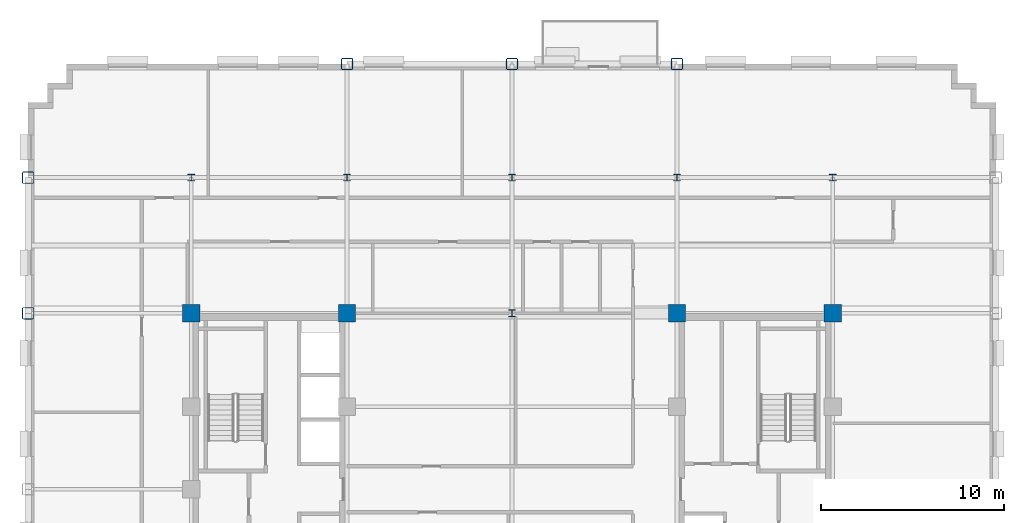
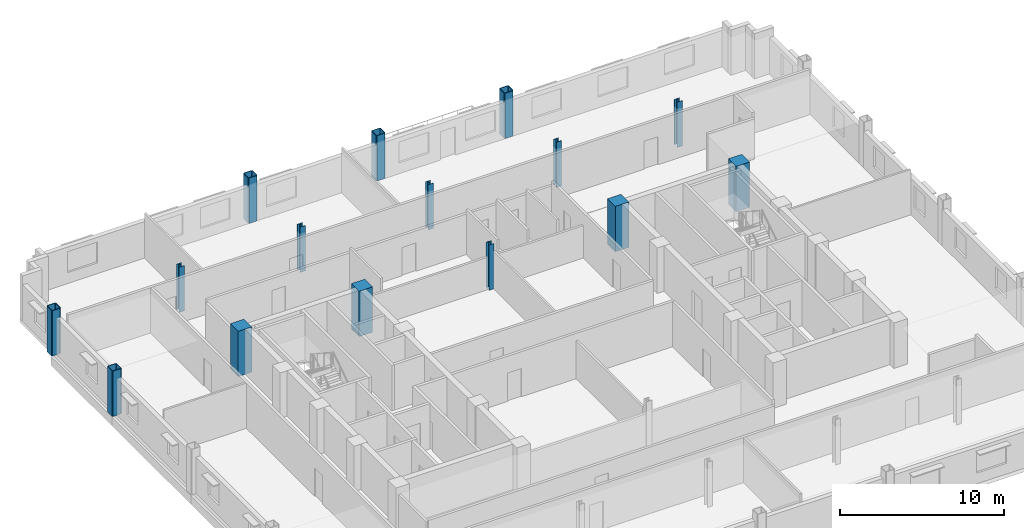
# One storey, part 3 of 14: 15 columns.
"""IFC4 building model written with IfcOpenShell, lengths in metres."""

from ifc_helpers import new_model, si_unit, direction, frame, origin, origin_2d, place, context, subcontext, project, spatial, rectangle, hollow_rectangle, i_section, extrude, material, material_profile, profile_set, type_object, element, save


model = new_model("IFC4")

# Units and contexts
model_context = context("Model", 3, precision=1e-05, world=origin(), true_north=direction((0.0, 1.0)))
body_context = subcontext(model_context, "Body", "Model", "MODEL_VIEW")
ifc_project = project(units=[si_unit("LENGTHUNIT", "METRE"), si_unit("AREAUNIT", "SQUARE_METRE"), si_unit("VOLUMEUNIT", "CUBIC_METRE"), si_unit("PLANEANGLEUNIT", "RADIAN"), si_unit("MASSUNIT", "GRAM", prefix="KILO")], contexts=[model_context])

# Site, building, storey
site_placement = place(None, origin())
site = spatial("IfcSite", under=ifc_project, at=site_placement, CompositionType="ELEMENT")
building_placement = place(site_placement, origin())
building = spatial("IfcBuilding", under=site, at=building_placement, Name="Nuvemarco Arch Tower", CompositionType="ELEMENT")
storey_placement = place(building_placement, frame((0.0, 0.0, 145.75)))
storey = spatial("IfcBuildingStorey", under=building, at=storey_placement, Name="L38", CompositionType="ELEMENT", Elevation=145.75)

# Columns
ifc_material_1 = material(Name="Concrete C50/60", Category="concrete")
ifc_material_profile_1 = material_profile(ifc_material_1, rectangle(XDim=0.949951171875, YDim=0.949951171875, at=origin_2d()), Name="RC-COL-950x950")
ifc_profile_set_1 = profile_set([ifc_material_profile_1], Name="Concrete C50/60")
column_type_1 = type_object("IfcColumnType", Name="COL-CORE-950", PredefinedType="COLUMN", material=ifc_profile_set_1)
for number, where, z_axis, x_axis, name in (
    (1, (-17.5, 9.60009765625, 0.0), (0.0, 0.0, 1.0), (1.0, 0.0, 0.0), "L38 column CC_-17.5_+9.6"),
    (2, (-9.0, 9.60009765625, 0.0), (0.0, 0.0, 1.0), (1.0, 0.0, 0.0), "L38 column CC_-9.0_+9.6"),
    (3, (9.0, 9.60009765625, 0.0), (0.0, 0.0, 1.0), (1.0, 0.0, 0.0), "L38 column CC_+9.0_+9.6"),
    (4, (17.5, 9.60009765625, 0.0), (0.0, 0.0, 1.0), (1.0, 0.0, 0.0), "L38 column CC_+17.5_+9.6"),
):
    element("IfcColumn", number, at=place(storey_placement, frame(where, z_axis=z_axis, x_axis=x_axis)), inside=storey, type_object=column_type_1, Name=name, PredefinedType="COLUMN", context=body_context, shape_type="SweptSolid", body=[
        extrude(rectangle(XDim=0.949951171875, YDim=0.949951171875, at=origin_2d()), origin(), (0.0, 0.0, 1.0), 3.3701171875),
    ])
ifc_material_2 = material(Name="Steel S355", Category="steel")
ifc_material_profile_2 = material_profile(ifc_material_2, hollow_rectangle(XDim=0.64990234375, YDim=0.64990234375, WallThickness=0.0400390625, InnerFilletRadius=0.0400390625, OuterFilletRadius=0.080078125, at=origin_2d()), Name="SHS650x650x40")
ifc_profile_set_2 = profile_set([ifc_material_profile_2], Name="Steel S355")
column_type_2 = type_object("IfcColumnType", Name="COL-EXO-650", PredefinedType="COLUMN", material=ifc_profile_set_2)
for number, where, z_axis, x_axis, name in (
    (5, (-26.39990234375, 9.60009765625, 0.0), (0.0, 0.0, 1.0), (1.0, 0.0, 0.0), "L38 column CX_-26.4_+9.6"),
    (6, (-26.39990234375, 17.0, 0.0), (0.0, 0.0, 1.0), (1.0, 0.0, 0.0), "L38 column CX_-26.4_+17.0"),
    (7, (-9.0, 23.199951171875, 0.0), (0.0, 0.0, 1.0), (1.0, 0.0, 0.0), "L38 column CY_-9.0_+23.2"),
    (8, (0.0, 23.199951171875, 0.0), (0.0, 0.0, 1.0), (1.0, 0.0, 0.0), "L38 column CY_+0.0_+23.2"),
    (9, (9.0, 23.199951171875, 0.0), (0.0, 0.0, 1.0), (1.0, 0.0, 0.0), "L38 column CY_+9.0_+23.2"),
):
    element("IfcColumn", number, at=place(storey_placement, frame(where, z_axis=z_axis, x_axis=x_axis)), inside=storey, type_object=column_type_2, Name=name, PredefinedType="COLUMN", context=body_context, shape_type="SweptSolid", body=[
        extrude(hollow_rectangle(XDim=0.64990234375, YDim=0.64990234375, WallThickness=0.0400390625, InnerFilletRadius=0.0400390625, OuterFilletRadius=0.080078125, at=origin_2d()), origin(), (0.0, 0.0, 1.0), 3.3701171875),
    ])
ifc_material_profile_3 = material_profile(ifc_material_2, i_section(OverallWidth=0.360107421875, OverallDepth=0.360107421875, WebThickness=0.0205078125, FlangeThickness=0.0205078125, FilletRadius=0.01806640625, at=origin_2d()), Name="HP360x174")
ifc_profile_set_3 = profile_set([ifc_material_profile_3], Name="Steel S355")
column_type_3 = type_object("IfcColumnType", Name="COL-STL-HP360", PredefinedType="COLUMN", material=ifc_profile_set_3)
for number, where, z_axis, x_axis, name in (
    (10, (0.0, 9.60009765625, 0.0), (0.0, 0.0, 1.0), (1.0, 0.0, 0.0), "L38 column CI_+0.0_+9.6"),
    (11, (0.0, 17.0, 0.0), (0.0, 0.0, 1.0), (1.0, 0.0, 0.0), "L38 column CI_+0.0_+17.0"),
    (12, (-17.5, 17.0, 0.0), (0.0, 0.0, 1.0), (1.0, 0.0, 0.0), "L38 column CI_-17.5_+17.0"),
    (13, (-9.0, 17.0, 0.0), (0.0, 0.0, 1.0), (1.0, 0.0, 0.0), "L38 column CI_-9.0_+17.0"),
    (14, (9.0, 17.0, 0.0), (0.0, 0.0, 1.0), (1.0, 0.0, 0.0), "L38 column CI_+9.0_+17.0"),
    (15, (17.5, 17.0, 0.0), (0.0, 0.0, 1.0), (1.0, 0.0, 0.0), "L38 column CI_+17.5_+17.0"),
):
    element("IfcColumn", number, at=place(storey_placement, frame(where, z_axis=z_axis, x_axis=x_axis)), inside=storey, type_object=column_type_3, Name=name, PredefinedType="COLUMN", context=body_context, shape_type="SweptSolid", body=[
        extrude(i_section(OverallWidth=0.360107421875, OverallDepth=0.360107421875, WebThickness=0.0205078125, FlangeThickness=0.0205078125, FilletRadius=0.01806640625, at=origin_2d()), origin(), (0.0, 0.0, 1.0), 3.3701171875),
    ])

save(model, "model.ifc")
